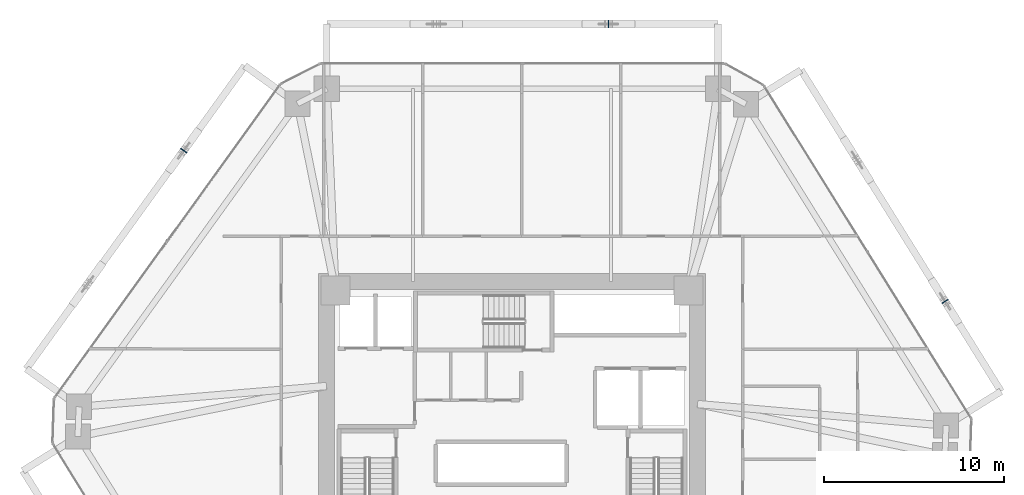
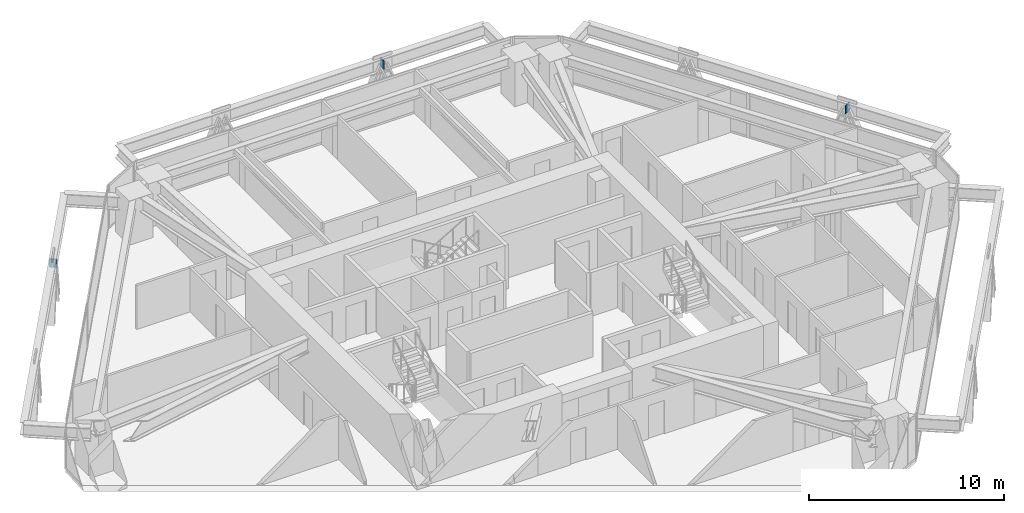
# One storey, part 12 of 18: 3 plates.
"""IFC4 building model written with IfcOpenShell, lengths in metres."""

from ifc_helpers import new_model, si_unit, direction, frame, origin, origin_2d, place, context, subcontext, project, spatial, rectangle, extrude, source, transform, mapped, material, layer, layer_set, type_object, type_shapes, element, save


model = new_model("IFC4")

# Units and contexts
model_context = context("Model", 3, precision=1e-05, world=origin(), true_north=direction((0.0, 1.0)))
body_context = subcontext(model_context, "Body", "Model", "MODEL_VIEW")
ifc_project = project(units=[si_unit("LENGTHUNIT", "METRE"), si_unit("AREAUNIT", "SQUARE_METRE"), si_unit("VOLUMEUNIT", "CUBIC_METRE"), si_unit("PLANEANGLEUNIT", "RADIAN"), si_unit("MASSUNIT", "GRAM", prefix="KILO")], contexts=[model_context])

# Site, building, storey
site_placement = place(None, origin())
site = spatial("IfcSite", under=ifc_project, at=site_placement, CompositionType="ELEMENT")
building_placement = place(site_placement, origin())
building = spatial("IfcBuilding", under=site, at=building_placement, Name="Durnholm Broadcast Tower", CompositionType="ELEMENT")
storey_placement = place(building_placement, frame((0.0, 0.0, 78.300048828125)))
storey = spatial("IfcBuildingStorey", under=building, at=storey_placement, Name="L20", CompositionType="ELEMENT", Elevation=78.300048828125)

# Plates
ifc_material = material(Name="Steel ASTM A572 Grade 50", Category="steel")
ifc_layer = layer(ifc_material, 0.044921875)
ifc_layer_set = layer_set([ifc_layer], Name="Steel ASTM A572 Grade 50")
plate_type = type_object("IfcPlateType", Name="PLT-KN-STIF", PredefinedType="SHEET", material=ifc_layer_set)
shared_shape = source(origin(), body_context, "Body", "SweptSolid", [
    extrude(rectangle(XDim=0.044921875, YDim=0.419921875, at=origin_2d()), origin(), (0.0, 0.0, 1.0), 0.52001953125),
])
type_shapes(plate_type, [shared_shape])
for number, where, z_axis, x_axis, name in (
    (1, (24.036376953125, 7.197509765625, 1.74853515625), (0.0, 0.0, 1.0), (-0.528586500185, 0.848879444811, 0.0), "L20 welded diagrid node stiffener plate F3"),
    (2, (5.351318359375, 22.60009765625, 1.74853515625), (0.0, 0.0, 1.0), (-1.0, 0.0, 0.0), "L20 welded diagrid node stiffener plate F4"),
    (3, (-18.223388671875, 15.56396484375, 1.74853515625), (0.0, 0.0, 1.0), (-0.584816108738, -0.81116590101, 0.0), "L20 welded diagrid node stiffener plate F5"),
):
    element("IfcPlate", number, at=place(storey_placement, frame(where, z_axis=z_axis, x_axis=x_axis)), inside=storey, type_object=plate_type, Name=name, PredefinedType="SHEET", context=body_context, shape_type="MappedRepresentation", body=[
        mapped(shared_shape, transform((0.0, 0.0, 0.0), x_axis=(1.0, 0.0, 0.0), y_axis=(0.0, 1.0, 0.0), z_axis=(0.0, 0.0, 1.0), scale=1.0)),
    ])

save(model, "model.ifc")
